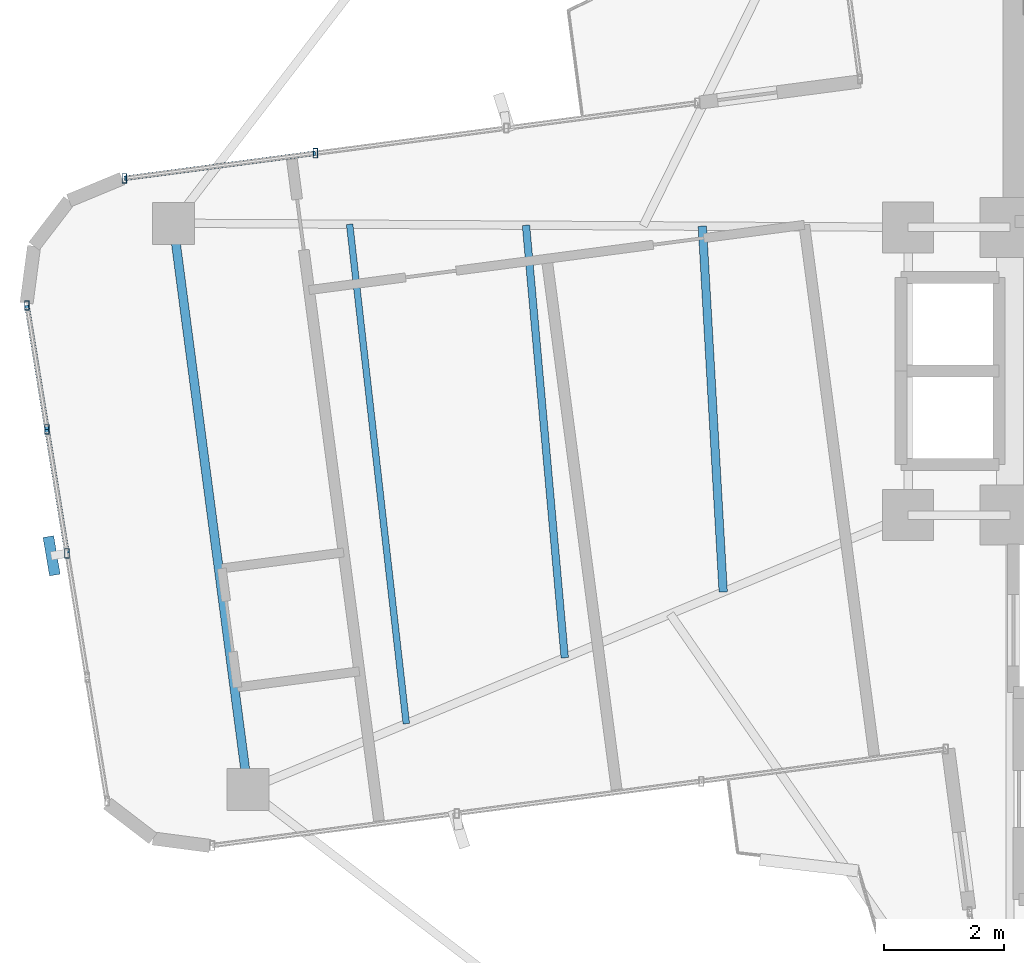
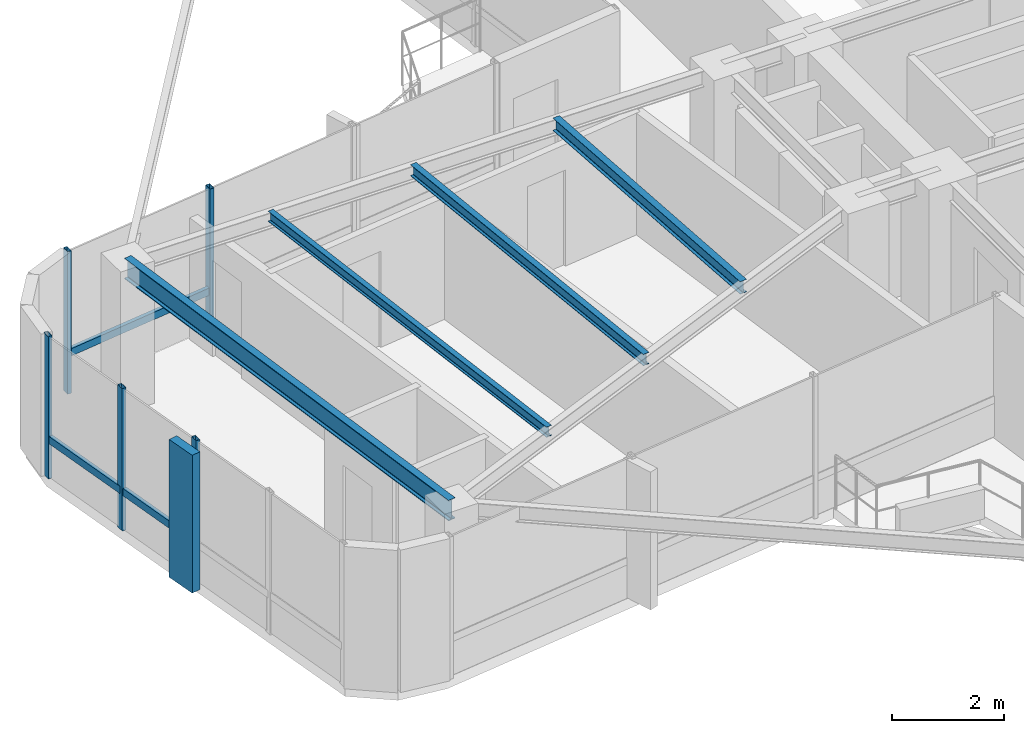
# One storey, part 7 of 22: 9 members, 4 beams, 2 elements without a shape of their own.
"""IFC4 building model written with IfcOpenShell, lengths in metres."""

from ifc_helpers import new_model, si_unit, direction, frame, origin, origin_2d, place, context, subcontext, project, spatial, rectangle, hollow_rectangle, i_section, extrude, source, transform, mapped, material, material_profile, profile_set, type_object, element, aggregate, save


model = new_model("IFC4")

# Units and contexts
model_context = context("Model", 3, precision=1e-05, world=origin(), true_north=direction((0.0, 1.0)))
body_context = subcontext(model_context, "Body", "Model", "MODEL_VIEW")
ifc_project = project(units=[si_unit("LENGTHUNIT", "METRE"), si_unit("AREAUNIT", "SQUARE_METRE"), si_unit("VOLUMEUNIT", "CUBIC_METRE"), si_unit("PLANEANGLEUNIT", "RADIAN"), si_unit("MASSUNIT", "GRAM", prefix="KILO")], contexts=[model_context])

# Site, building, storey
site_placement = place(None, origin())
site = spatial("IfcSite", under=ifc_project, at=site_placement, CompositionType="ELEMENT")
building_placement = place(site_placement, origin())
building = spatial("IfcBuilding", under=site, at=building_placement, Name="Sahyath Konkavel Grand Hotel", CompositionType="ELEMENT")
storey_placement = place(building_placement, frame((0.0, 0.0, 247.85009765625)))
storey = spatial("IfcBuildingStorey", under=building, at=storey_placement, Name="L69", CompositionType="ELEMENT", Elevation=247.85009765625)

# Beams
ifc_material_1 = material(Name="Steel E350", Category="steel")
ifc_material_profile_1 = material_profile(ifc_material_1, i_section(OverallWidth=0.14990234375, OverallDepth=0.449951171875, WebThickness=0.009521484375, FlangeThickness=0.017333984375, FilletRadius=0.014892578125, at=origin_2d()), Name="ISMB 450")
ifc_profile_set_1 = profile_set([ifc_material_profile_1], Name="Steel E350")
beam_type_1 = type_object("IfcBeamType", Name="BM-ISMB450", PredefinedType="BEAM", material=ifc_profile_set_1)
shared_shape_1 = source(origin(), body_context, "Body", "SweptSolid", [
    extrude(i_section(OverallWidth=0.14990234375, OverallDepth=0.449951171875, WebThickness=0.009521484375, FlangeThickness=0.017333984375, FilletRadius=0.014892578125, at=origin_2d()), origin(), (0.0, 0.0, 1.0), 9.526123046875),
])
beam_1_placement = place(storey_placement, frame((-17.75390625, 2.466796875, 2.885009765625), z_axis=(0.130526774932, -0.991444784658, 0.0), x_axis=(0.991444784658, 0.130526774932, 0.0)))
element("IfcBeam", 1, at=beam_1_placement, inside=storey, type_object=beam_type_1, Name="L69 Wing Tip Edge Beam W", PredefinedType="BEAM", context=body_context, shape_type="MappedRepresentation", body=[
    mapped(shared_shape_1, transform((0.0, 0.0, 0.0), scale=1.0)),
])
ifc_material_profile_2 = material_profile(ifc_material_1, i_section(OverallWidth=0.139892578125, OverallDepth=0.27490234375, WebThickness=0.00634765625, FlangeThickness=0.0087890625, FilletRadius=0.012939453125, at=origin_2d()), Name="ISLB 275")
ifc_profile_set_2 = profile_set([ifc_material_profile_2], Name="Steel E350")
beam_type_2 = type_object("IfcBeamType", Name="BM-ISLB275", PredefinedType="BEAM", material=ifc_profile_set_2)
shared_shape_2 = source(origin(), body_context, "Body", "SweptSolid", [
    extrude(i_section(OverallWidth=0.139892578125, OverallDepth=0.27490234375, WebThickness=0.00634765625, FlangeThickness=0.0087890625, FilletRadius=0.012939453125, at=origin_2d()), origin(), (0.0, 0.0, 1.0), 6.110595703125),
])
beam_2_placement = place(storey_placement, frame((-8.93115234375, 2.418701171875, 2.972412109375), z_axis=(0.056974693381, -0.998375622857, 0.0), x_axis=(0.998375622857, 0.056974693381, 0.0)))
element("IfcBeam", 2, at=beam_2_placement, inside=storey, type_object=beam_type_2, Name="L69 Secondary Floor Beam W-1", PredefinedType="BEAM", context=body_context, shape_type="MappedRepresentation", body=[
    mapped(shared_shape_2, transform((0.0, 0.0, 0.0), scale=1.0)),
])
ifc_material_profile_3 = material_profile(ifc_material_1, i_section(OverallWidth=0.125, OverallDepth=0.25, WebThickness=0.0068359375, FlangeThickness=0.012451171875, FilletRadius=0.012939453125, at=origin_2d()), Name="ISMB 250")
ifc_profile_set_3 = profile_set([ifc_material_profile_3], Name="Steel E350")
beam_type_3 = type_object("IfcBeamType", Name="BM-ISMB250", PredefinedType="BEAM", material=ifc_profile_set_3)
shared_shape_3 = source(origin(), body_context, "Body", "SweptSolid", [
    extrude(i_section(OverallWidth=0.125, OverallDepth=0.25, WebThickness=0.0068359375, FlangeThickness=0.012451171875, FilletRadius=0.012939453125, at=origin_2d()), origin(), (0.0, 0.0, 1.0), 7.244140625),
])
beam_3_placement = place(storey_placement, frame((-11.8720703125, 2.434814453125, 2.98486328125), z_axis=(0.089241205785, -0.996010043719, 0.0), x_axis=(0.996010043719, 0.089241205785, 0.0)))
element("IfcBeam", 3, at=beam_3_placement, inside=storey, type_object=beam_type_3, Name="L69 Secondary Floor Beam W-2", PredefinedType="BEAM", context=body_context, shape_type="MappedRepresentation", body=[
    mapped(shared_shape_3, transform((0.0, 0.0, 0.0), scale=1.0)),
])
ifc_material_profile_4 = material_profile(ifc_material_1, i_section(OverallWidth=0.110107421875, OverallDepth=0.22509765625, WebThickness=0.006591796875, FlangeThickness=0.01171875, FilletRadius=0.011962890625, at=origin_2d()), Name="ISMB 225")
ifc_profile_set_4 = profile_set([ifc_material_profile_4], Name="Steel E350")
beam_type_4 = type_object("IfcBeamType", Name="BM-ISMB225", PredefinedType="BEAM", material=ifc_profile_set_4)
shared_shape_4 = source(origin(), body_context, "Body", "SweptSolid", [
    extrude(i_section(OverallWidth=0.110107421875, OverallDepth=0.22509765625, WebThickness=0.006591796875, FlangeThickness=0.01171875, FilletRadius=0.011962890625, at=origin_2d()), origin(), (0.0, 0.0, 1.0), 8.38330078125),
])
beam_4_placement = place(storey_placement, frame((-14.81298828125, 2.45068359375, 2.997314453125), z_axis=(0.112732605748, -0.993625361795, 0.0), x_axis=(0.993625361795, 0.112732605748, 0.0)))
element("IfcBeam", 4, at=beam_4_placement, inside=storey, type_object=beam_type_4, Name="L69 Secondary Floor Beam W-3", PredefinedType="BEAM", context=body_context, shape_type="MappedRepresentation", body=[
    mapped(shared_shape_4, transform((0.0, 0.0, 0.0), scale=1.0)),
])

# Curtain wall, members
ifc_material_2 = material(Name="Anodised Bronze Aluminium & Low-E Glazing", Category="aluminium")
curtain_wall_type = type_object("IfcCurtainWallType", Name="CW-ZONE4", PredefinedType="NOTDEFINED", material=ifc_material_2)
curtain_wall_1_placement = place(storey_placement, origin())
curtain_wall_1 = element("IfcCurtainWall", 5, at=curtain_wall_1_placement, inside=storey, type_object=curtain_wall_type, Name="L69 Unitised Curtain Wall F16", PredefinedType="NOTDEFINED")
ifc_material_3 = material(Name="Anodised Bronze Aluminium", Category="aluminium")
ifc_material_profile_5 = material_profile(ifc_material_3, hollow_rectangle(XDim=0.080078125, YDim=0.159912109375, WallThickness=0.006103515625, at=origin_2d()), Name="RHS 160x80x6")
ifc_profile_set_5 = profile_set([ifc_material_profile_5], Name="Anodised Bronze Aluminium")
member_type_1 = type_object("IfcMemberType", Name="CW-MUL-160", PredefinedType="MULLION", material=ifc_profile_set_5)
shared_shape_5 = source(origin(), body_context, "Body", "SweptSolid", [
    extrude(hollow_rectangle(XDim=0.080078125, YDim=0.159912109375, WallThickness=0.006103515625, at=origin_2d()), origin(), (0.0, 0.0, 1.0), 3.10986328125),
])
member_1_placement = place(storey_placement, frame((-15.3837890625, 3.635986328125, 0.0), z_axis=(0.0, 0.0, 1.0), x_axis=(1.0, 0.0, 0.0)))
member_1 = element("IfcMember", 6, at=member_1_placement, type_object=member_type_1, Name="L69 Curtain Wall Mullion F16-2", PredefinedType="MULLION", context=body_context, shape_type="MappedRepresentation", body=[
    mapped(shared_shape_5, transform((0.0, 0.0, 0.0), scale=1.0)),
])
member_2_placement = place(storey_placement, frame((-18.568603515625, 3.216796875, 0.0), z_axis=(0.0, 0.0, 1.0), x_axis=(1.0, 0.0, 0.0)))
member_2 = element("IfcMember", 7, at=member_2_placement, type_object=member_type_1, Name="L69 Curtain Wall Mullion F16-3", PredefinedType="MULLION", context=body_context, shape_type="MappedRepresentation", body=[
    mapped(shared_shape_5, transform((0.0, 0.0, 0.0), scale=1.0)),
])

curtain_wall_2_placement = place(storey_placement, origin())
curtain_wall_2 = element("IfcCurtainWall", 8, at=curtain_wall_2_placement, inside=storey, type_object=curtain_wall_type, Name="L69 Unitised Curtain Wall F20", PredefinedType="NOTDEFINED")
member_3_placement = place(storey_placement, frame((-20.194580078125, 1.096435546875, 0.0), z_axis=(0.0, 0.0, 1.0), x_axis=(1.0, 0.0, 0.0)))
member_3 = element("IfcMember", 9, at=member_3_placement, type_object=member_type_1, Name="L69 Curtain Wall Mullion F20-0", PredefinedType="MULLION", context=body_context, shape_type="MappedRepresentation", body=[
    mapped(shared_shape_5, transform((0.0, 0.0, 0.0), scale=1.0)),
])
member_4_placement = place(storey_placement, frame((-19.860595703125, -0.970458984375, 0.0), z_axis=(0.0, 0.0, 1.0), x_axis=(1.0, 0.0, 0.0)))
member_4 = element("IfcMember", 10, at=member_4_placement, type_object=member_type_1, Name="L69 Curtain Wall Mullion F20-1", PredefinedType="MULLION", context=body_context, shape_type="MappedRepresentation", body=[
    mapped(shared_shape_5, transform((0.0, 0.0, 0.0), scale=1.0)),
])
member_5_placement = place(storey_placement, frame((-19.526611328125, -3.037109375, 0.0), z_axis=(0.0, 0.0, 1.0), x_axis=(1.0, 0.0, 0.0)))
member_5 = element("IfcMember", 11, at=member_5_placement, type_object=member_type_1, Name="L69 Curtain Wall Mullion F20-2", PredefinedType="MULLION", context=body_context, shape_type="MappedRepresentation", body=[
    mapped(shared_shape_5, transform((0.0, 0.0, 0.0), scale=1.0)),
])
ifc_material_4 = material(Name="Warm Buff Sandstone Cladding on Concrete C50/60", Category="masonry")
ifc_material_profile_6 = material_profile(ifc_material_4, rectangle(XDim=0.179931640625, YDim=0.64990234375, at=origin_2d()), Name="FIN 180x650")
ifc_profile_set_6 = profile_set([ifc_material_profile_6], Name="Warm Buff Sandstone Cladding on Concrete C50/60")
member_type_2 = type_object("IfcMemberType", Name="FIN-SANDSTONE-650", PredefinedType="MULLION", material=ifc_profile_set_6)
shared_shape_6 = source(origin(), body_context, "Body", "SweptSolid", [
    extrude(rectangle(XDim=0.179931640625, YDim=0.64990234375, at=origin_2d()), origin(), (0.0, 0.0, 1.0), 3.010009765625),
])
member_6_placement = place(storey_placement, frame((-19.783447265625, -3.07861328125, 0.0498046875), z_axis=(0.0, 0.0, 1.0), x_axis=(0.98587937025, 0.16745706111, 0.0)))
member_6 = element("IfcMember", 12, at=member_6_placement, type_object=member_type_2, Name="L69 Sandstone Vertical Solar Fin FIN F20-2", PredefinedType="MULLION", context=body_context, shape_type="MappedRepresentation", body=[
    mapped(shared_shape_6, transform((0.0, 0.0, 0.0), scale=1.0)),
])

# Member
ifc_material_profile_7 = material_profile(ifc_material_3, hollow_rectangle(XDim=0.080078125, YDim=0.159912109375, WallThickness=0.006103515625, at=origin_2d()), Name="RHS 160x80x6")
ifc_profile_set_7 = profile_set([ifc_material_profile_7], Name="Anodised Bronze Aluminium")
member_type_3 = type_object("IfcMemberType", Name="CW-TRN-160", PredefinedType="USERDEFINED", material=ifc_profile_set_7)
shared_shape_7 = source(origin(), body_context, "Body", "SweptSolid", [
    extrude(hollow_rectangle(XDim=0.080078125, YDim=0.159912109375, WallThickness=0.006103515625, at=origin_2d()), origin(), (0.0, 0.0, 1.0), 3.21240234375),
])
member_7_placement = place(storey_placement, frame((-15.3837890625, 3.635986328125, 0.849853515625), z_axis=(-0.991448862258, -0.130495798888, 0.0), x_axis=(0.130495798888, -0.991448862258, 0.0)))
member_7 = element("IfcMember", 13, at=member_7_placement, type_object=member_type_3, Name="L69 Curtain Wall Transom F16-2-spandrel", ObjectType="TRANSOM", PredefinedType="USERDEFINED", context=body_context, shape_type="MappedRepresentation", body=[
    mapped(shared_shape_7, transform((0.0, 0.0, 0.0), scale=1.0)),
])

aggregate(curtain_wall_1, [member_1, member_2, member_7])

shared_shape_8 = source(origin(), body_context, "Body", "SweptSolid", [
    extrude(hollow_rectangle(XDim=0.080078125, YDim=0.159912109375, WallThickness=0.006103515625, at=origin_2d()), origin(), (0.0, 0.0, 1.0), 2.09375),
])
member_8_placement = place(storey_placement, frame((-20.194580078125, 1.096435546875, 0.849853515625), z_axis=(0.159518391326, -0.987194956849, 0.0), x_axis=(0.987194956849, 0.159518391326, 0.0)))
member_8 = element("IfcMember", 14, at=member_8_placement, type_object=member_type_3, Name="L69 Curtain Wall Transom F20-0-spandrel", ObjectType="TRANSOM", PredefinedType="USERDEFINED", context=body_context, shape_type="MappedRepresentation", body=[
    mapped(shared_shape_8, transform((0.0, 0.0, 0.0), scale=1.0)),
])

shared_shape_9 = source(origin(), body_context, "Body", "SweptSolid", [
    extrude(hollow_rectangle(XDim=0.080078125, YDim=0.159912109375, WallThickness=0.006103515625, at=origin_2d()), origin(), (0.0, 0.0, 1.0), 2.093505859375),
])
member_9_placement = place(storey_placement, frame((-19.860595703125, -0.970458984375, 0.849853515625), z_axis=(0.15953675619, -0.987191989141, 0.0), x_axis=(0.987191989141, 0.15953675619, 0.0)))
member_9 = element("IfcMember", 15, at=member_9_placement, type_object=member_type_3, Name="L69 Curtain Wall Transom F20-1-spandrel", ObjectType="TRANSOM", PredefinedType="USERDEFINED", context=body_context, shape_type="MappedRepresentation", body=[
    mapped(shared_shape_9, transform((0.0, 0.0, 0.0), scale=1.0)),
])

aggregate(curtain_wall_2, [member_3, member_4, member_5, member_6, member_8, member_9])

save(model, "model.ifc")
